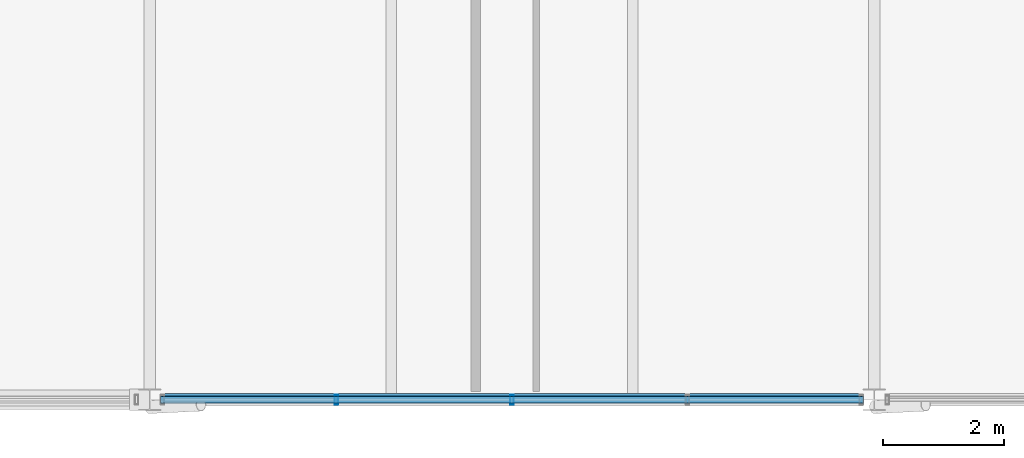
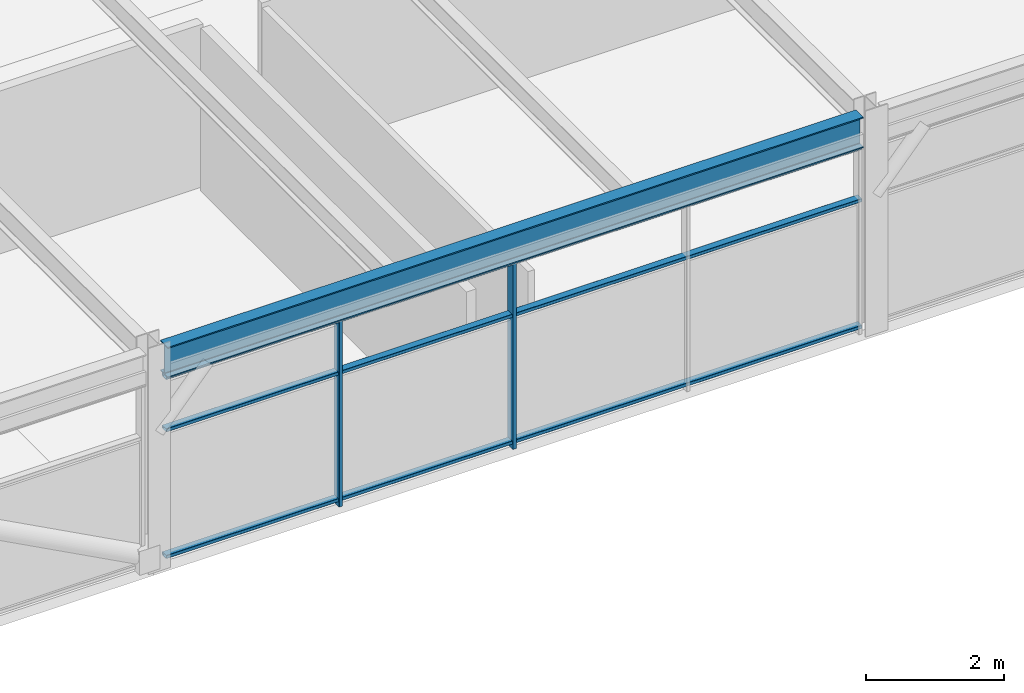
# One storey, part 9 of 40: 5 members, 1 beam, 1 element without a shape of its own.
"""IFC4 building model written with IfcOpenShell, lengths in metres."""

from ifc_helpers import new_model, si_unit, direction, frame, origin, origin_2d, place, context, subcontext, project, spatial, hollow_rectangle, i_section, extrude, material, material_profile, profile_set, type_object, element, aggregate, save


model = new_model("IFC4")

# Units and contexts
model_context = context("Model", 3, precision=1e-05, world=origin(), true_north=direction((0.0, 1.0)))
body_context = subcontext(model_context, "Body", "Model", "MODEL_VIEW")
ifc_project = project(units=[si_unit("LENGTHUNIT", "METRE"), si_unit("AREAUNIT", "SQUARE_METRE"), si_unit("VOLUMEUNIT", "CUBIC_METRE"), si_unit("PLANEANGLEUNIT", "RADIAN"), si_unit("MASSUNIT", "GRAM", prefix="KILO")], contexts=[model_context])

# Site, building, storey
site_placement = place(None, origin())
site = spatial("IfcSite", under=ifc_project, at=site_placement, CompositionType="ELEMENT")
building_placement = place(site_placement, origin())
building = spatial("IfcBuilding", under=site, at=building_placement, Name="Girod Span Mobility Hub", CompositionType="ELEMENT")
storey_placement = place(building_placement, frame((0.0, 0.0, 57.60009765625)))
storey = spatial("IfcBuildingStorey", under=building, at=storey_placement, Name="L14", CompositionType="ELEMENT", Elevation=57.60009765625)

# Beam
ifc_material_1 = material(Name="Steel A992 Grade 50", Category="steel")
ifc_material_profile_1 = material_profile(ifc_material_1, i_section(OverallWidth=0.2119140625, OverallDepth=0.5439453125, WebThickness=0.01318359375, FlangeThickness=0.021240234375, FilletRadius=0.014892578125, at=origin_2d()), Name="W21X83")
ifc_profile_set_1 = profile_set([ifc_material_profile_1], Name="Steel A992 Grade 50")
beam_type = type_object("IfcBeamType", Name="BM-STL-W21X83", PredefinedType="SPANDREL", material=ifc_profile_set_1)
beam_placement = place(storey_placement, frame((60.181396484375, 45.0, 3.577880859375), z_axis=(1.0, 0.0, 0.0), x_axis=(0.0, 1.0, 0.0)))
element("IfcBeam", 1, at=beam_placement, inside=storey, type_object=beam_type, Name="Girder 6-7/D L14", PredefinedType="SPANDREL", context=body_context, shape_type="SweptSolid", body=[
    extrude(i_section(OverallWidth=0.2119140625, OverallDepth=0.5439453125, WebThickness=0.01318359375, FlangeThickness=0.021240234375, FilletRadius=0.014892578125, at=origin_2d()), origin(), (0.0, 0.0, 1.0), 11.63720703125),
])

# Curtain wall, members
ifc_material_2 = material(Name="Thermally Broken Anodised Aluminium", Category="aluminium")
curtain_wall_type = type_object("IfcCurtainWallType", Name="CW-1164X331", PredefinedType="USERDEFINED", material=ifc_material_2)
curtain_wall_placement = place(storey_placement, origin())
curtain_wall = element("IfcCurtainWall", 2, at=curtain_wall_placement, inside=storey, type_object=curtain_wall_type, Name="Unitised Curtain Wall CW-L14-S06 L14", ObjectType="UNITISED CURTAIN WALL", PredefinedType="USERDEFINED")
ifc_material_3 = material(Name="Thermally Broken Anodised Aluminium", Category="aluminium")
ifc_material_profile_2 = material_profile(ifc_material_3, hollow_rectangle(XDim=0.159912109375, YDim=0.06005859375, WallThickness=0.00341796875, InnerFilletRadius=0.00341796875, OuterFilletRadius=0.007080078125, at=origin_2d()), Name="CW-ML-60X160")
ifc_profile_set_2 = profile_set([ifc_material_profile_2], Name="Thermally Broken Anodised Aluminium")
member_type_1 = type_object("IfcMemberType", Name="CWM-ML-3", PredefinedType="MULLION", material=ifc_profile_set_2)
member_1_placement = place(storey_placement, frame((63.09130859375, 45.0, 0.0), z_axis=(0.0, 0.0, 1.0), x_axis=(0.0, 1.0, 0.0)))
member_1 = element("IfcMember", 3, at=member_1_placement, type_object=member_type_1, Name="Curtain Wall Mullion CW-L14-S06-M1", PredefinedType="MULLION", context=body_context, shape_type="SweptSolid", body=[
    extrude(hollow_rectangle(XDim=0.159912109375, YDim=0.06005859375, WallThickness=0.00341796875, InnerFilletRadius=0.00341796875, OuterFilletRadius=0.007080078125, at=origin_2d()), origin(), (0.0, 0.0, 1.0), 3.305908203125),
])
member_2_placement = place(storey_placement, frame((66.0, 45.0, 0.0), z_axis=(0.0, 0.0, 1.0), x_axis=(0.0, 1.0, 0.0)))
member_2 = element("IfcMember", 4, at=member_2_placement, type_object=member_type_1, Name="Curtain Wall Mullion CW-L14-S06-M2", PredefinedType="MULLION", context=body_context, shape_type="SweptSolid", body=[
    extrude(hollow_rectangle(XDim=0.159912109375, YDim=0.06005859375, WallThickness=0.00341796875, InnerFilletRadius=0.00341796875, OuterFilletRadius=0.007080078125, at=origin_2d()), origin(), (0.0, 0.0, 1.0), 3.305908203125),
])
ifc_material_4 = material(Name="Thermally Broken Anodised Aluminium", Category="aluminium")
ifc_material_profile_3 = material_profile(ifc_material_4, hollow_rectangle(XDim=0.1201171875, YDim=0.06005859375, WallThickness=0.00341796875, InnerFilletRadius=0.00341796875, OuterFilletRadius=0.007080078125, at=origin_2d()), Name="CW-TR-60X120")
ifc_profile_set_3 = profile_set([ifc_material_profile_3], Name="Thermally Broken Anodised Aluminium")
member_type_2 = type_object("IfcMemberType", Name="CWM-TR-3", PredefinedType="USERDEFINED", material=ifc_profile_set_3)
member_3_placement = place(storey_placement, frame((60.1826171875, 45.0, 0.10986328125), z_axis=(1.0, 0.0, 0.0), x_axis=(0.0, 1.0, 0.0)))
member_3 = element("IfcMember", 5, at=member_3_placement, type_object=member_type_2, Name="Curtain Wall Transom CW-L14-S06-T1", ObjectType="TRANSOM", PredefinedType="USERDEFINED", context=body_context, shape_type="SweptSolid", body=[
    extrude(hollow_rectangle(XDim=0.1201171875, YDim=0.06005859375, WallThickness=0.00341796875, InnerFilletRadius=0.00341796875, OuterFilletRadius=0.007080078125, at=origin_2d()), origin(), (0.0, 0.0, 1.0), 11.634765625),
])
member_4_placement = place(storey_placement, frame((60.1826171875, 45.0, 2.35009765625), z_axis=(1.0, 0.0, 0.0), x_axis=(0.0, 1.0, 0.0)))
member_4 = element("IfcMember", 6, at=member_4_placement, type_object=member_type_2, Name="Curtain Wall Transom CW-L14-S06-T2", ObjectType="TRANSOM", PredefinedType="USERDEFINED", context=body_context, shape_type="SweptSolid", body=[
    extrude(hollow_rectangle(XDim=0.1201171875, YDim=0.06005859375, WallThickness=0.00341796875, InnerFilletRadius=0.00341796875, OuterFilletRadius=0.007080078125, at=origin_2d()), origin(), (0.0, 0.0, 1.0), 11.634765625),
])
member_5_placement = place(storey_placement, frame((60.1826171875, 45.0, 3.27587890625), z_axis=(1.0, 0.0, 0.0), x_axis=(0.0, 1.0, 0.0)))
member_5 = element("IfcMember", 7, at=member_5_placement, type_object=member_type_2, Name="Curtain Wall Transom CW-L14-S06-T3", ObjectType="TRANSOM", PredefinedType="USERDEFINED", context=body_context, shape_type="SweptSolid", body=[
    extrude(hollow_rectangle(XDim=0.1201171875, YDim=0.06005859375, WallThickness=0.00341796875, InnerFilletRadius=0.00341796875, OuterFilletRadius=0.007080078125, at=origin_2d()), origin(), (0.0, 0.0, 1.0), 11.634765625),
])
aggregate(curtain_wall, [member_1, member_2, member_3, member_4, member_5])

save(model, "model.ifc")
